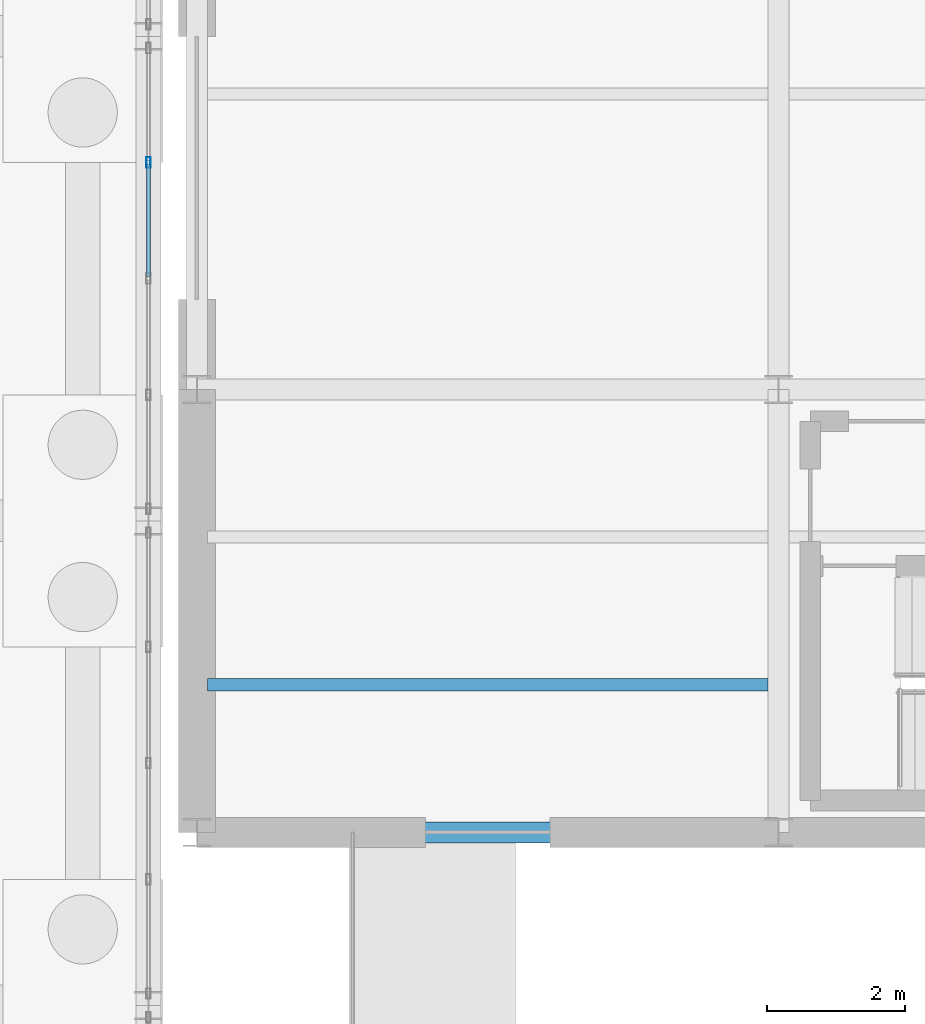
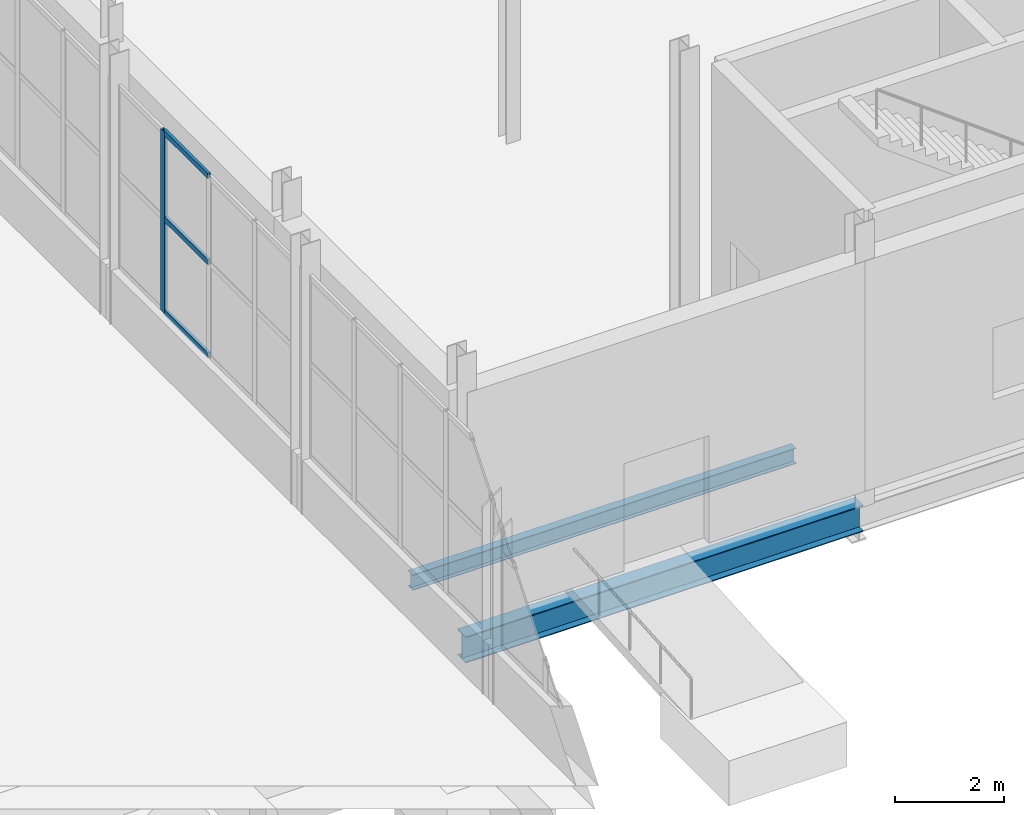
# One storey, part 58 of 139: 4 members, 2 beams, 1 element without a shape of its own.
"""IFC4 building model written with IfcOpenShell, lengths in metres."""

from ifc_helpers import new_model, si_unit, direction, frame, origin, origin_2d, place, context, subcontext, project, spatial, hollow_rectangle, i_section, extrude, material, material_profile, profile_set, type_object, element, aggregate, save


model = new_model("IFC4")

# Units and contexts
model_context = context("Model", 3, precision=1e-05, world=origin(), true_north=direction((0.0, 1.0)))
body_context = subcontext(model_context, "Body", "Model", "MODEL_VIEW")
ifc_project = project(units=[si_unit("LENGTHUNIT", "METRE"), si_unit("AREAUNIT", "SQUARE_METRE"), si_unit("VOLUMEUNIT", "CUBIC_METRE"), si_unit("PLANEANGLEUNIT", "RADIAN"), si_unit("MASSUNIT", "GRAM", prefix="KILO")], contexts=[model_context])

# Site, building, storey
site_placement = place(None, origin())
site = spatial("IfcSite", under=ifc_project, at=site_placement, CompositionType="ELEMENT")
building_placement = place(site_placement, origin())
building = spatial("IfcBuilding", under=site, at=building_placement, Name="Kazenagashi Tramway Depot", CompositionType="ELEMENT")
storey_placement = place(building_placement, origin())
storey = spatial("IfcBuildingStorey", under=building, at=storey_placement, Name="L01", CompositionType="ELEMENT", Elevation=0.0)

# Beam
ifc_material_1 = material(Name="Steel SN400B", Category="steel")
ifc_material_profile_1 = material_profile(ifc_material_1, i_section(OverallWidth=0.175, OverallDepth=0.35, WebThickness=0.007, FlangeThickness=0.011, at=origin_2d()), Name="H-350x175x7x11")
ifc_profile_set_1 = profile_set([ifc_material_profile_1], Name="Steel SN400B")
beam_type_1 = type_object("IfcBeamType", Name="J-01", PredefinedType="JOIST", material=ifc_profile_set_1)
beam_1_placement = place(storey_placement, frame((44.95, 18.633, -0.525), z_axis=(1.0, 0.0, 0.0), x_axis=(0.0, 1.0, 0.0)))
element("IfcBeam", 1, at=beam_1_placement, inside=storey, type_object=beam_type_1, Name="Beam J-01 BM-0802", PredefinedType="JOIST", context=body_context, shape_type="SweptSolid", body=[
    extrude(i_section(OverallWidth=0.175, OverallDepth=0.35, WebThickness=0.007, FlangeThickness=0.011, at=origin_2d()), origin(), (0.0, 0.0, 1.0), 8.1),
])

# Curtain wall, member
ifc_material_2 = material(Name="Anodised Aluminium and Low-E Glazing", Category="aluminium")
curtain_wall_type = type_object("IfcCurtainWallType", Name="CW-33", PredefinedType="USERDEFINED", material=ifc_material_2)
curtain_wall_placement = place(storey_placement, origin())
curtain_wall = element("IfcCurtainWall", 2, at=curtain_wall_placement, inside=storey, type_object=curtain_wall_type, Name="Industrial Glazed Screen CW-33 CW-0185", ObjectType="GLAZED SCREEN", PredefinedType="USERDEFINED")
ifc_material_3 = material(Name="Anodised Aluminium", Category="aluminium")
ifc_material_profile_2 = material_profile(ifc_material_3, hollow_rectangle(XDim=0.06, YDim=0.15, WallThickness=0.004, at=origin_2d()), Name="RHS-150x60x4")
ifc_profile_set_2 = profile_set([ifc_material_profile_2], Name="Anodised Aluminium")
member_type_1 = type_object("IfcMemberType", Name="ML-01", PredefinedType="MULLION", material=ifc_profile_set_2)
member_1_placement = place(storey_placement, frame((44.1, 26.18, 1.2), z_axis=(0.0, 0.0, 1.0), x_axis=(-1.0, 0.0, 0.0)))
member_1 = element("IfcMember", 3, at=member_1_placement, type_object=member_type_1, Name="CW-33 mullion 4", PredefinedType="MULLION", context=body_context, shape_type="SweptSolid", body=[
    extrude(hollow_rectangle(XDim=0.06, YDim=0.15, WallThickness=0.004, at=origin_2d()), origin(), (0.0, 0.0, 1.0), 4.062),
])

# Beam
ifc_material_4 = material(Name="Steel SN490B", Category="steel")
ifc_material_profile_3 = material_profile(ifc_material_4, i_section(OverallWidth=0.3, OverallDepth=0.588, WebThickness=0.012, FlangeThickness=0.02, at=origin_2d()), Name="H-588x300x12x20")
ifc_profile_set_3 = profile_set([ifc_material_profile_3], Name="Steel SN490B")
beam_type_2 = type_object("IfcBeamType", Name="SP-01", PredefinedType="SPANDREL", material=ifc_profile_set_3)
beam_2_placement = place(storey_placement, frame((44.8, 16.5, -0.644), z_axis=(1.0, 0.0, 0.0), x_axis=(0.0, 1.0, 0.0)))
element("IfcBeam", 4, at=beam_2_placement, inside=storey, type_object=beam_type_2, Name="Beam SP-01 BM-0741", PredefinedType="SPANDREL", context=body_context, shape_type="SweptSolid", body=[
    extrude(i_section(OverallWidth=0.3, OverallDepth=0.588, WebThickness=0.012, FlangeThickness=0.02, at=origin_2d()), origin(), (0.0, 0.0, 1.0), 8.4),
])

# Member
ifc_material_profile_4 = material_profile(ifc_material_3, hollow_rectangle(XDim=0.06, YDim=0.12, WallThickness=0.004, at=origin_2d()), Name="RHS-120x60x4")
ifc_profile_set_4 = profile_set([ifc_material_profile_4], Name="Anodised Aluminium")
member_type_2 = type_object("IfcMemberType", Name="TR-01", PredefinedType="USERDEFINED", material=ifc_profile_set_4)
member_2_placement = place(storey_placement, frame((44.1, 24.53, 1.23), z_axis=(0.0, 1.0, 0.0), x_axis=(-1.0, 0.0, 0.0)))
member_2 = element("IfcMember", 5, at=member_2_placement, type_object=member_type_2, Name="CW-33 transom 3.1", ObjectType="TRANSOM", PredefinedType="USERDEFINED", context=body_context, shape_type="SweptSolid", body=[
    extrude(hollow_rectangle(XDim=0.06, YDim=0.12, WallThickness=0.004, at=origin_2d()), origin(), (0.0, 0.0, 1.0), 1.62),
])

member_3_placement = place(storey_placement, frame((44.1, 24.53, 3.312), z_axis=(0.0, 1.0, 0.0), x_axis=(-1.0, 0.0, 0.0)))
member_3 = element("IfcMember", 6, at=member_3_placement, type_object=member_type_2, Name="CW-33 transom 3.2", ObjectType="TRANSOM", PredefinedType="USERDEFINED", context=body_context, shape_type="SweptSolid", body=[
    extrude(hollow_rectangle(XDim=0.06, YDim=0.12, WallThickness=0.004, at=origin_2d()), origin(), (0.0, 0.0, 1.0), 1.62),
])

member_4_placement = place(storey_placement, frame((44.1, 24.53, 5.232), z_axis=(0.0, 1.0, 0.0), x_axis=(-1.0, 0.0, 0.0)))
member_4 = element("IfcMember", 7, at=member_4_placement, type_object=member_type_2, Name="CW-33 transom 3.3", ObjectType="TRANSOM", PredefinedType="USERDEFINED", context=body_context, shape_type="SweptSolid", body=[
    extrude(hollow_rectangle(XDim=0.06, YDim=0.12, WallThickness=0.004, at=origin_2d()), origin(), (0.0, 0.0, 1.0), 1.62),
])

aggregate(curtain_wall, [member_1, member_2, member_3, member_4])

save(model, "model.ifc")
